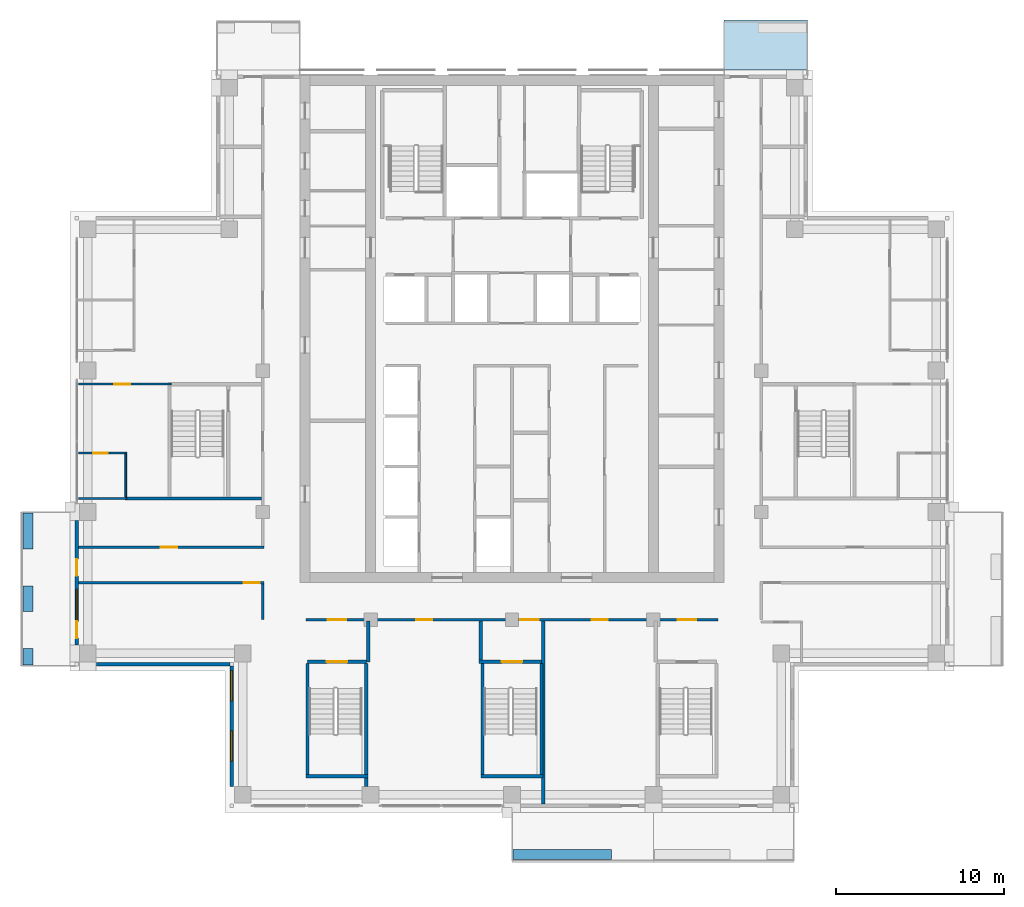
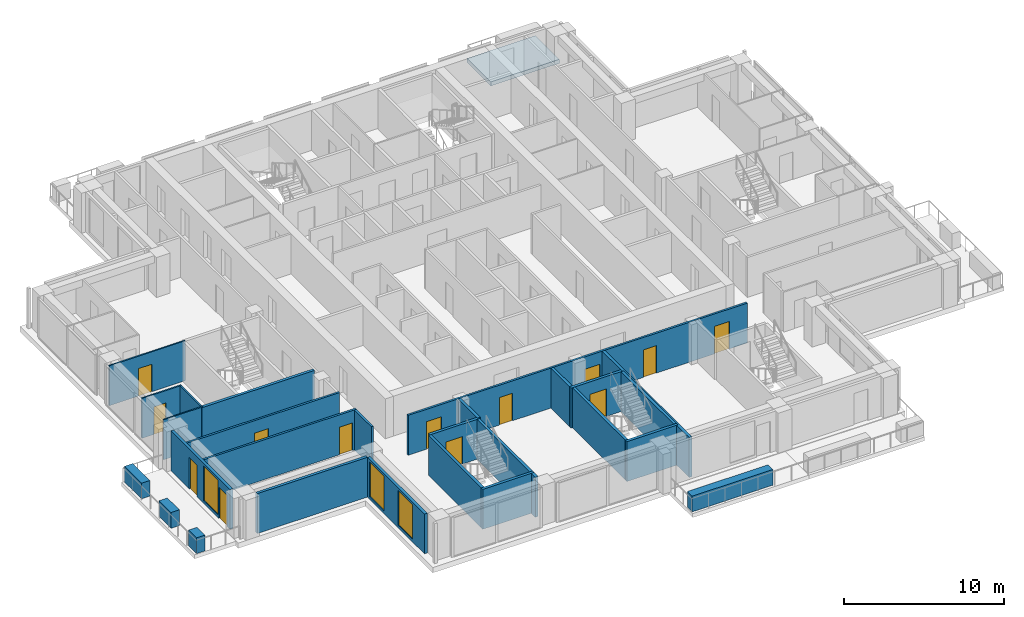
# One storey, part 8 of 17: 27 walls, 13 doors, 3 windows, 1 slab, 16 openings.
"""IFC4 building model written with IfcOpenShell, lengths in metres."""

from ifc_helpers import new_model, si_unit, direction, frame, frame_2d, origin, place, context, subcontext, project, spatial, polyline, rectangle, outline, extrude, material, layer, layer_set, type_object, element, fill, save


model = new_model("IFC4")

# Units and contexts
model_context = context("Model", 3, precision=1e-05, world=origin(), true_north=direction((0.0, 1.0)))
body_context = subcontext(model_context, "Body", "Model", "MODEL_VIEW")
ifc_project = project(units=[si_unit("LENGTHUNIT", "METRE"), si_unit("AREAUNIT", "SQUARE_METRE"), si_unit("VOLUMEUNIT", "CUBIC_METRE"), si_unit("PLANEANGLEUNIT", "RADIAN"), si_unit("MASSUNIT", "GRAM", prefix="KILO")], contexts=[model_context])

# Site, building, storey
site_placement = place(None, origin())
site = spatial("IfcSite", under=ifc_project, at=site_placement, CompositionType="ELEMENT")
building_placement = place(site_placement, origin())
building = spatial("IfcBuilding", under=site, at=building_placement, Name="Vermilion Ogive Tower", CompositionType="ELEMENT")
storey_placement = place(building_placement, frame((0.0, 0.0, 189.35009765625)))
storey = spatial("IfcBuildingStorey", under=building, at=storey_placement, Name="L49", CompositionType="ELEMENT", Elevation=189.35009765625)

# Slab
ifc_material_1 = material(Name="Concrete B40", Category="concrete")
ifc_layer_1 = layer(ifc_material_1, 0.300048828125)
ifc_layer_set_1 = layer_set([ifc_layer_1], Name="Balcony slab")
slab_type = type_object("IfcSlabType", Name="Balcony slab", PredefinedType="FLOOR", material=ifc_layer_set_1)
slab_placement = place(storey_placement, frame((0.0, 0.0, -0.340087890625)))
element("IfcSlab", 1, at=slab_placement, inside=storey, type_object=slab_type, Name="Balcony slab N101", PredefinedType="FLOOR", context=body_context, shape_type="SweptSolid", body=[
    extrude(outline(polyline([(17.550048828125, 25.030029296875), (12.60009765625, 25.030029296875), (12.60009765625, 22.050048828125), (17.550048828125, 22.050048828125), (17.550048828125, 25.030029296875)])), origin(), (0.0, 0.0, 1.0), 0.300048828125),
])

# Wall
ifc_material_2 = material(Name="Gypsum board partition on steel studs", Category="steel")
ifc_layer_2 = layer(ifc_material_2, 0.10009765625)
ifc_layer_set_2 = layer_set([ifc_layer_2], Name="Partition 100 bath")
wall_type_1 = type_object("IfcWallType", Name="Partition 100 bath", PredefinedType="PARTITIONING", material=ifc_layer_set_2)
wall_1_placement = place(storey_placement, frame((-25.75, -3.39990234375, 0.0), z_axis=(0.0, 0.0, 1.0), x_axis=(1.0, 0.0, 0.0)))
element("IfcWall", 2, at=wall_1_placement, inside=storey, type_object=wall_type_1, Name="L49-W-W011", PredefinedType="PARTITIONING", context=body_context, shape_type="SweptSolid", body=[
    extrude(rectangle(XDim=2.85009765625, YDim=0.10009765625, at=frame_2d((1.425048828125, 0.0))), origin(), (0.0, 0.0, 1.0), 3.0498046875),
])

# Wall, opening, door
wall_2_placement = place(storey_placement, frame((-25.75, -0.699951171875, 0.0), z_axis=(0.0, 0.0, 1.0), x_axis=(1.0, 0.0, 0.0)))
wall_2 = element("IfcWall", 3, at=wall_2_placement, inside=storey, type_object=wall_type_1, Name="L49-W-W015", PredefinedType="PARTITIONING", context=body_context, shape_type="SweptSolid", body=[
    extrude(rectangle(XDim=2.85009765625, YDim=0.10009765625, at=frame_2d((1.425048828125, 0.0))), origin(), (0.0, 0.0, 1.0), 3.0498046875),
])
opening_1_placement = place(wall_2_placement, frame((0.875, 0.0, 0.0)))
opening_1 = element("IfcOpeningElement", 4, at=opening_1_placement, cuts=wall_2, Name="Opening D4G2006", PredefinedType="OPENING", context=body_context, shape_type="SweptSolid", body=[
    extrude(rectangle(XDim=0.85009765625, YDim=2.10009765625, at=frame_2d((0.425048828125, 1.050048828125))), frame((0.0, 0.06005859375, 0.0), z_axis=(0.0, -1.0, 0.0), x_axis=(1.0, 0.0, 0.0)), (0.0, 0.0, 1.0), 0.1201171875),
])
ifc_material_3 = material(Name="Timber door leaf", Category="wood")
door_type_1 = type_object("IfcDoorType", Name="Bath door 850 x 2100 FD30", OperationType="SINGLE_SWING_LEFT", PredefinedType="DOOR", material=ifc_material_3)
door_1_placement = place(opening_1_placement, origin())
door_1 = element("IfcDoor", 5, at=door_1_placement, inside=storey, type_object=door_type_1, Name="L49-D-D006", OperationType="SINGLE_SWING_RIGHT", OverallHeight=2.10009765625, OverallWidth=0.85009765625, PredefinedType="DOOR", context=body_context, shape_type="SweptSolid", body=[
    extrude(rectangle(XDim=0.85009765625, YDim=2.10009765625, at=frame_2d((0.425048828125, 1.050048828125))), frame((0.0, 0.02490234375, 0.0), z_axis=(0.0, -1.0, 0.0), x_axis=(1.0, 0.0, 0.0)), (0.0, 0.0, 1.0), 0.050048828125),
])
fill(opening_1, door_1)

# Wall
wall_3_placement = place(storey_placement, frame((-22.949951171875, -3.300048828125, 0.0), z_axis=(0.0, 0.0, 1.0), x_axis=(0.0, 1.0, 0.0)))
element("IfcWall", 6, at=wall_3_placement, inside=storey, type_object=wall_type_1, Name="L49-W-W029", PredefinedType="PARTITIONING", context=body_context, shape_type="SweptSolid", body=[
    extrude(rectangle(XDim=2.550048828125, YDim=0.10009765625, at=frame_2d((1.27490234375, 0.0))), origin(), (0.0, 0.0, 1.0), 3.0498046875),
])

# Wall, opening, door
ifc_material_4 = material(Name="Gypsum board partition on steel studs", Category="steel")
ifc_layer_3 = layer(ifc_material_4, 0.10009765625)
ifc_layer_set_3 = layer_set([ifc_layer_3], Name="Partition 100 inner")
wall_type_2 = type_object("IfcWallType", Name="Partition 100 inner", PredefinedType="PARTITIONING", material=ifc_layer_set_3)
wall_4_placement = place(storey_placement, frame((-25.75, 3.39990234375, 0.0), z_axis=(0.0, 0.0, 1.0), x_axis=(1.0, 0.0, 0.0)))
wall_4 = element("IfcWall", 7, at=wall_4_placement, inside=storey, type_object=wall_type_2, Name="L49-W-W017", PredefinedType="PARTITIONING", context=body_context, shape_type="SweptSolid", body=[
    extrude(rectangle(XDim=5.5, YDim=0.10009765625, at=frame_2d((2.75, 0.0))), origin(), (0.0, 0.0, 1.0), 3.0498046875),
])
opening_2_placement = place(wall_4_placement, frame((2.125, 0.0, 0.0)))
opening_2 = element("IfcOpeningElement", 8, at=opening_2_placement, cuts=wall_4, Name="Opening D4G2005", PredefinedType="OPENING", context=body_context, shape_type="SweptSolid", body=[
    extrude(rectangle(XDim=0.949951171875, YDim=2.10009765625, at=frame_2d((0.47509765625, 1.050048828125))), frame((0.0, 0.06005859375, 0.0), z_axis=(0.0, -1.0, 0.0), x_axis=(1.0, 0.0, 0.0)), (0.0, 0.0, 1.0), 0.1201171875),
])
ifc_material_5 = material(Name="Timber door leaf", Category="wood")
door_type_2 = type_object("IfcDoorType", Name="Inner door 950 x 2100 FD30", OperationType="SINGLE_SWING_LEFT", PredefinedType="DOOR", material=ifc_material_5)
door_2_placement = place(opening_2_placement, origin())
door_2 = element("IfcDoor", 9, at=door_2_placement, inside=storey, type_object=door_type_2, Name="L49-D-D005", OperationType="SINGLE_SWING_LEFT", OverallHeight=2.10009765625, OverallWidth=0.949951171875, PredefinedType="DOOR", context=body_context, shape_type="SweptSolid", body=[
    extrude(rectangle(XDim=0.949951171875, YDim=2.10009765625, at=frame_2d((0.47509765625, 1.050048828125))), frame((0.0, 0.02490234375, 0.0), z_axis=(0.0, -1.0, 0.0), x_axis=(1.0, 0.0, 0.0)), (0.0, 0.0, 1.0), 0.050048828125),
])
fill(opening_2, door_2)

# Wall, openings, doors
ifc_material_6 = material(Name="Gypsum board partition on steel studs", Category="steel")
ifc_layer_4 = layer(ifc_material_6, 0.14990234375)
ifc_layer_set_4 = layer_set([ifc_layer_4], Name="Partition 150 corridor")
wall_type_3 = type_object("IfcWallType", Name="Partition 150 corridor", PredefinedType="PARTITIONING", material=ifc_layer_set_4)
wall_5_placement = place(storey_placement, frame((-12.25, -10.60009765625, 0.0), z_axis=(0.0, 0.0, 1.0), x_axis=(1.0, 0.0, 0.0)))
wall_5 = element("IfcWall", 10, at=wall_5_placement, inside=storey, type_object=wall_type_3, Name="L49-W-W006", PredefinedType="PARTITIONING", context=body_context, shape_type="SweptSolid", body=[
    extrude(rectangle(XDim=24.5, YDim=0.14990234375, at=frame_2d((12.25, 0.0))), origin(), (0.0, 0.0, 1.0), 3.0498046875),
])
opening_3_placement = place(wall_5_placement, frame((6.574951171875, 0.0, 0.0)))
opening_3 = element("IfcOpeningElement", 11, at=opening_3_placement, cuts=wall_5, Name="Opening D4G2009", PredefinedType="OPENING", context=body_context, shape_type="SweptSolid", body=[
    extrude(rectangle(XDim=0.949951171875, YDim=2.10009765625, at=frame_2d((0.47509765625, 1.050048828125))), frame((0.0, 0.0849609375, 0.0), z_axis=(0.0, -1.0, 0.0), x_axis=(1.0, 0.0, 0.0)), (0.0, 0.0, 1.0), 0.169921875),
])
opening_4_placement = place(wall_5_placement, frame((16.97509765625, 0.0, 0.0)))
opening_4 = element("IfcOpeningElement", 12, at=opening_4_placement, cuts=wall_5, Name="Opening D4G2010", PredefinedType="OPENING", context=body_context, shape_type="SweptSolid", body=[
    extrude(rectangle(XDim=0.949951171875, YDim=2.10009765625, at=frame_2d((0.47509765625, 1.050048828125))), frame((0.0, 0.0849609375, 0.0), z_axis=(0.0, -1.0, 0.0), x_axis=(1.0, 0.0, 0.0)), (0.0, 0.0, 1.0), 0.169921875),
])
opening_5_placement = place(wall_5_placement, frame((1.300048828125, 0.0, 0.0)))
opening_5 = element("IfcOpeningElement", 13, at=opening_5_placement, cuts=wall_5, Name="Opening D4G2020", PredefinedType="OPENING", context=body_context, shape_type="SweptSolid", body=[
    extrude(rectangle(XDim=1.10009765625, YDim=2.10009765625, at=frame_2d((0.550048828125, 1.050048828125))), frame((0.0, 0.0849609375, 0.0), z_axis=(0.0, -1.0, 0.0), x_axis=(1.0, 0.0, 0.0)), (0.0, 0.0, 1.0), 0.169921875),
])
opening_6_placement = place(wall_5_placement, frame((12.75, 0.0, 0.0)))
opening_6 = element("IfcOpeningElement", 14, at=opening_6_placement, cuts=wall_5, Name="Opening D4G2022", PredefinedType="OPENING", context=body_context, shape_type="SweptSolid", body=[
    extrude(rectangle(XDim=1.10009765625, YDim=2.10009765625, at=frame_2d((0.550048828125, 1.050048828125))), frame((0.0, 0.0849609375, 0.0), z_axis=(0.0, -1.0, 0.0), x_axis=(1.0, 0.0, 0.0)), (0.0, 0.0, 1.0), 0.169921875),
])
opening_7_placement = place(wall_5_placement, frame((22.10009765625, 0.0, 0.0)))
opening_7 = element("IfcOpeningElement", 15, at=opening_7_placement, cuts=wall_5, Name="Opening D4G2024", PredefinedType="OPENING", context=body_context, shape_type="SweptSolid", body=[
    extrude(rectangle(XDim=1.10009765625, YDim=2.10009765625, at=frame_2d((0.550048828125, 1.050048828125))), frame((0.0, 0.0849609375, 0.0), z_axis=(0.0, -1.0, 0.0), x_axis=(1.0, 0.0, 0.0)), (0.0, 0.0, 1.0), 0.169921875),
])
ifc_material_7 = material(Name="Timber door leaf", Category="wood")
door_type_3 = type_object("IfcDoorType", Name="Stair door 1100 x 2100 FD60S", OperationType="SINGLE_SWING_LEFT", PredefinedType="DOOR", material=ifc_material_7)
door_3_placement = place(opening_5_placement, origin())
door_3 = element("IfcDoor", 16, at=door_3_placement, inside=storey, type_object=door_type_3, Name="L49-D-D020", OperationType="SINGLE_SWING_RIGHT", OverallHeight=2.10009765625, OverallWidth=1.10009765625, PredefinedType="DOOR", context=body_context, shape_type="SweptSolid", body=[
    extrude(rectangle(XDim=1.10009765625, YDim=2.10009765625, at=frame_2d((0.550048828125, 1.050048828125))), frame((0.0, 0.02490234375, 0.0), z_axis=(0.0, -1.0, 0.0), x_axis=(1.0, 0.0, 0.0)), (0.0, 0.0, 1.0), 0.050048828125),
])
fill(opening_5, door_3)
door_4_placement = place(opening_6_placement, origin())
door_4 = element("IfcDoor", 17, at=door_4_placement, inside=storey, type_object=door_type_3, Name="L49-D-D022", OperationType="SINGLE_SWING_LEFT", OverallHeight=2.10009765625, OverallWidth=1.10009765625, PredefinedType="DOOR", context=body_context, shape_type="SweptSolid", body=[
    extrude(rectangle(XDim=1.10009765625, YDim=2.10009765625, at=frame_2d((0.550048828125, 1.050048828125))), frame((0.0, 0.02490234375, 0.0), z_axis=(0.0, -1.0, 0.0), x_axis=(1.0, 0.0, 0.0)), (0.0, 0.0, 1.0), 0.050048828125),
])
fill(opening_6, door_4)
door_5_placement = place(opening_7_placement, origin())
door_5 = element("IfcDoor", 18, at=door_5_placement, inside=storey, type_object=door_type_3, Name="L49-D-D024", OperationType="SINGLE_SWING_LEFT", OverallHeight=2.10009765625, OverallWidth=1.10009765625, PredefinedType="DOOR", context=body_context, shape_type="SweptSolid", body=[
    extrude(rectangle(XDim=1.10009765625, YDim=2.10009765625, at=frame_2d((0.550048828125, 1.050048828125))), frame((0.0, 0.02490234375, 0.0), z_axis=(0.0, -1.0, 0.0), x_axis=(1.0, 0.0, 0.0)), (0.0, 0.0, 1.0), 0.050048828125),
])
fill(opening_7, door_5)
ifc_material_8 = material(Name="Timber door leaf", Category="wood")
door_type_4 = type_object("IfcDoorType", Name="Unit door 950 x 2100 FD30S", OperationType="SINGLE_SWING_LEFT", PredefinedType="DOOR", material=ifc_material_8)
door_6_placement = place(opening_3_placement, origin())
door_6 = element("IfcDoor", 19, at=door_6_placement, inside=storey, type_object=door_type_4, Name="L49-D-D009", OperationType="SINGLE_SWING_RIGHT", OverallHeight=2.10009765625, OverallWidth=0.949951171875, PredefinedType="DOOR", context=body_context, shape_type="SweptSolid", body=[
    extrude(rectangle(XDim=0.949951171875, YDim=2.10009765625, at=frame_2d((0.47509765625, 1.050048828125))), frame((0.0, 0.02490234375, 0.0), z_axis=(0.0, -1.0, 0.0), x_axis=(1.0, 0.0, 0.0)), (0.0, 0.0, 1.0), 0.050048828125),
])
fill(opening_3, door_6)
door_7_placement = place(opening_4_placement, origin())
door_7 = element("IfcDoor", 20, at=door_7_placement, inside=storey, type_object=door_type_4, Name="L49-D-D010", OperationType="SINGLE_SWING_RIGHT", OverallHeight=2.10009765625, OverallWidth=0.949951171875, PredefinedType="DOOR", context=body_context, shape_type="SweptSolid", body=[
    extrude(rectangle(XDim=0.949951171875, YDim=2.10009765625, at=frame_2d((0.47509765625, 1.050048828125))), frame((0.0, 0.02490234375, 0.0), z_axis=(0.0, -1.0, 0.0), x_axis=(1.0, 0.0, 0.0)), (0.0, 0.0, 1.0), 0.050048828125),
])
fill(opening_4, door_7)

# Wall, opening, door
wall_6_placement = place(storey_placement, frame((-25.75, -8.39990234375, 0.0), z_axis=(0.0, 0.0, 1.0), x_axis=(1.0, 0.0, 0.0)))
wall_6 = element("IfcWall", 21, at=wall_6_placement, inside=storey, type_object=wall_type_3, Name="L49-W-W007", PredefinedType="PARTITIONING", context=body_context, shape_type="SweptSolid", body=[
    extrude(rectangle(XDim=11.02490234375, YDim=0.14990234375, at=frame_2d((5.512451171875, 0.0))), origin(), (0.0, 0.0, 1.0), 3.0498046875),
])
opening_8_placement = place(wall_6_placement, frame((9.800048828125, 0.0, 0.0)))
opening_8 = element("IfcOpeningElement", 22, at=opening_8_placement, cuts=wall_6, Name="Opening D4G2001", PredefinedType="OPENING", context=body_context, shape_type="SweptSolid", body=[
    extrude(rectangle(XDim=0.949951171875, YDim=2.10009765625, at=frame_2d((0.47509765625, 1.050048828125))), frame((0.0, 0.0849609375, 0.0), z_axis=(0.0, -1.0, 0.0), x_axis=(1.0, 0.0, 0.0)), (0.0, 0.0, 1.0), 0.169921875),
])
door_8_placement = place(opening_8_placement, origin())
door_8 = element("IfcDoor", 23, at=door_8_placement, inside=storey, type_object=door_type_4, Name="L49-D-D001", OperationType="SINGLE_SWING_RIGHT", OverallHeight=2.10009765625, OverallWidth=0.949951171875, PredefinedType="DOOR", context=body_context, shape_type="SweptSolid", body=[
    extrude(rectangle(XDim=0.949951171875, YDim=2.10009765625, at=frame_2d((0.47509765625, 1.050048828125))), frame((0.0, 0.02490234375, 0.0), z_axis=(0.0, -1.0, 0.0), x_axis=(1.0, 0.0, 0.0)), (0.0, 0.0, 1.0), 0.050048828125),
])
fill(opening_8, door_8)

wall_7_placement = place(storey_placement, frame((-25.75, -6.300048828125, 0.0), z_axis=(0.0, 0.0, 1.0), x_axis=(1.0, 0.0, 0.0)))
wall_7 = element("IfcWall", 24, at=wall_7_placement, inside=storey, type_object=wall_type_3, Name="L49-W-W009", PredefinedType="PARTITIONING", context=body_context, shape_type="SweptSolid", body=[
    extrude(rectangle(XDim=11.02490234375, YDim=0.14990234375, at=frame_2d((5.512451171875, 0.0))), origin(), (0.0, 0.0, 1.0), 3.0498046875),
])
opening_9_placement = place(wall_7_placement, frame((4.875, 0.0, 0.0)))
opening_9 = element("IfcOpeningElement", 25, at=opening_9_placement, cuts=wall_7, Name="Opening D4G2030", PredefinedType="OPENING", context=body_context, shape_type="SweptSolid", body=[
    extrude(rectangle(XDim=1.0, YDim=2.10009765625, at=frame_2d((0.5, 1.050048828125))), frame((0.0, 0.0849609375, 0.0), z_axis=(0.0, -1.0, 0.0), x_axis=(1.0, 0.0, 0.0)), (0.0, 0.0, 1.0), 0.169921875),
])
ifc_material_9 = material(Name="Timber door leaf", Category="wood")
door_type_5 = type_object("IfcDoorType", Name="Unit door 1000 x 2100 FD30S", OperationType="SINGLE_SWING_LEFT", PredefinedType="DOOR", material=ifc_material_9)
door_9_placement = place(opening_9_placement, origin())
door_9 = element("IfcDoor", 26, at=door_9_placement, inside=storey, type_object=door_type_5, Name="L49-D-D030", OperationType="SINGLE_SWING_RIGHT", OverallHeight=2.10009765625, OverallWidth=1.0, PredefinedType="DOOR", context=body_context, shape_type="SweptSolid", body=[
    extrude(rectangle(XDim=1.0, YDim=2.10009765625, at=frame_2d((0.5, 1.050048828125))), frame((0.0, 0.02490234375, 0.0), z_axis=(0.0, -1.0, 0.0), x_axis=(1.0, 0.0, 0.0)), (0.0, 0.0, 1.0), 0.050048828125),
])
fill(opening_9, door_9)

# Walls
wall_8_placement = place(storey_placement, frame((-14.800048828125, -10.60009765625, 0.0), z_axis=(0.0, 0.0, 1.0), x_axis=(0.0, 1.0, 0.0)))
element("IfcWall", 27, at=wall_8_placement, inside=storey, type_object=wall_type_3, Name="L49-W-W033", PredefinedType="PARTITIONING", context=body_context, shape_type="SweptSolid", body=[
    extrude(rectangle(XDim=2.125, YDim=0.14990234375, at=frame_2d((1.0625, 0.0))), origin(), (0.0, 0.0, 1.0), 3.0498046875),
])
ifc_material_10 = material(Name="Gypsum board partition on steel studs", Category="steel")
ifc_layer_5 = layer(ifc_material_10, 0.199951171875)
ifc_layer_set_5 = layer_set([ifc_layer_5], Name="Partition 200 party")
wall_type_4 = type_object("IfcWallType", Name="Partition 200 party", PredefinedType="PARTITIONING", material=ifc_layer_set_5)
wall_9_placement = place(storey_placement, frame((-8.550048828125, -13.10009765625, 0.0), z_axis=(0.0, 0.0, 1.0), x_axis=(0.0, 1.0, 0.0)))
element("IfcWall", 28, at=wall_9_placement, inside=storey, type_object=wall_type_4, Name="L49-W-W035", PredefinedType="PARTITIONING", context=body_context, shape_type="SweptSolid", body=[
    extrude(rectangle(XDim=2.425048828125, YDim=0.199951171875, at=frame_2d((1.21240234375, 0.0))), origin(), (0.0, 0.0, 1.0), 3.0498046875),
])
wall_10_placement = place(storey_placement, frame((-1.85009765625, -12.998046875, 0.0), z_axis=(0.0, 0.0, 1.0), x_axis=(0.0, 1.0, 0.0)))
element("IfcWall", 29, at=wall_10_placement, inside=storey, type_object=wall_type_4, Name="L49-W-W036", PredefinedType="PARTITIONING", context=body_context, shape_type="SweptSolid", body=[
    extrude(rectangle(XDim=2.322998046875, YDim=0.199951171875, at=frame_2d((1.16162109375, 0.0))), origin(), (0.0, 0.0, 1.0), 3.0498046875),
])
ifc_material_11 = material(Name="Concrete B60", Category="concrete")
ifc_layer_6 = layer(ifc_material_11, 0.199951171875)
ifc_layer_set_6 = layer_set([ifc_layer_6], Name="Stair shaft wall 200 Concrete B60")
wall_type_5 = type_object("IfcWallType", Name="Stair shaft wall 200 Concrete B60", PredefinedType="SOLIDWALL", material=ifc_layer_set_6)
wall_11_placement = place(storey_placement, frame((-1.847900390625, -19.89990234375, 0.0), z_axis=(0.0, 0.0, 1.0), x_axis=(1.0, 0.0, 0.0)))
element("IfcWall", 30, at=wall_11_placement, inside=storey, type_object=wall_type_5, Name="L49-W-W001", PredefinedType="SOLIDWALL", context=body_context, shape_type="SweptSolid", body=[
    extrude(rectangle(XDim=3.69580078125, YDim=0.199951171875, at=frame_2d((1.847900390625, 0.0))), origin(), (0.0, 0.0, 1.0), 3.0498046875),
])

# Wall, opening, door
wall_12_placement = place(storey_placement, frame((-12.14990234375, -13.10009765625, 0.0), z_axis=(0.0, 0.0, 1.0), x_axis=(1.0, 0.0, 0.0)))
wall_12 = element("IfcWall", 31, at=wall_12_placement, inside=storey, type_object=wall_type_5, Name="L49-W-W002", PredefinedType="SOLIDWALL", context=body_context, shape_type="SweptSolid", body=[
    extrude(rectangle(XDim=3.5, YDim=0.199951171875, at=frame_2d((1.75, 0.0))), origin(), (0.0, 0.0, 1.0), 3.0498046875),
])
opening_10_placement = place(wall_12_placement, frame((1.14990234375, 0.0, 0.0)))
opening_10 = element("IfcOpeningElement", 32, at=opening_10_placement, cuts=wall_12, Name="Opening D4G2021", PredefinedType="OPENING", context=body_context, shape_type="SweptSolid", body=[
    extrude(rectangle(XDim=1.199951171875, YDim=2.10009765625, at=frame_2d((0.60009765625, 1.050048828125))), frame((0.0, 0.10986328125, 0.0), z_axis=(0.0, -1.0, 0.0), x_axis=(1.0, 0.0, 0.0)), (0.0, 0.0, 1.0), 0.219970703125),
])
ifc_material_12 = material(Name="Timber door leaf", Category="wood")
door_type_6 = type_object("IfcDoorType", Name="Stair door 1200 x 2100 FD60S", OperationType="SINGLE_SWING_LEFT", PredefinedType="DOOR", material=ifc_material_12)
door_10_placement = place(opening_10_placement, origin())
door_10 = element("IfcDoor", 33, at=door_10_placement, inside=storey, type_object=door_type_6, Name="L49-D-D021", OperationType="SINGLE_SWING_RIGHT", OverallHeight=2.10009765625, OverallWidth=1.199951171875, PredefinedType="DOOR", context=body_context, shape_type="SweptSolid", body=[
    extrude(rectangle(XDim=1.199951171875, YDim=2.10009765625, at=frame_2d((0.60009765625, 1.050048828125))), frame((0.0, 0.02490234375, 0.0), z_axis=(0.0, -1.0, 0.0), x_axis=(1.0, 0.0, 0.0)), (0.0, 0.0, 1.0), 0.050048828125),
])
fill(opening_10, door_10)

wall_13_placement = place(storey_placement, frame((-1.947998046875, -13.10009765625, 0.0), z_axis=(0.0, 0.0, 1.0), x_axis=(1.0, 0.0, 0.0)))
wall_13 = element("IfcWall", 34, at=wall_13_placement, inside=storey, type_object=wall_type_5, Name="L49-W-W003", PredefinedType="SOLIDWALL", context=body_context, shape_type="SweptSolid", body=[
    extrude(rectangle(XDim=3.696044921875, YDim=0.199951171875, at=frame_2d((1.84814453125, 0.0))), origin(), (0.0, 0.0, 1.0), 3.0498046875),
])
opening_11_placement = place(wall_13_placement, frame((1.347900390625, 0.0, 0.0)))
opening_11 = element("IfcOpeningElement", 35, at=opening_11_placement, cuts=wall_13, Name="Opening D4G2023", PredefinedType="OPENING", context=body_context, shape_type="SweptSolid", body=[
    extrude(rectangle(XDim=1.199951171875, YDim=2.10009765625, at=frame_2d((0.60009765625, 1.050048828125))), frame((0.0, 0.10986328125, 0.0), z_axis=(0.0, -1.0, 0.0), x_axis=(1.0, 0.0, 0.0)), (0.0, 0.0, 1.0), 0.219970703125),
])
door_11_placement = place(opening_11_placement, origin())
door_11 = element("IfcDoor", 36, at=door_11_placement, inside=storey, type_object=door_type_6, Name="L49-D-D023", OperationType="SINGLE_SWING_RIGHT", OverallHeight=2.10009765625, OverallWidth=1.199951171875, PredefinedType="DOOR", context=body_context, shape_type="SweptSolid", body=[
    extrude(rectangle(XDim=1.199951171875, YDim=2.10009765625, at=frame_2d((0.60009765625, 1.050048828125))), frame((0.0, 0.02490234375, 0.0), z_axis=(0.0, -1.0, 0.0), x_axis=(1.0, 0.0, 0.0)), (0.0, 0.0, 1.0), 0.050048828125),
])
fill(opening_11, door_11)

# Walls
for number, where, z_axis, x_axis, name in (
    (37, (-1.75, -19.798095703125, 0.0), (0.0, 0.0, 1.0), (0.0, 1.0, 0.0), "L49-W-W037"),
    (38, (1.75, -19.798095703125, 0.0), (0.0, 0.0, 1.0), (0.0, 1.0, 0.0), "L49-W-W038"),
):
    element("IfcWall", number, at=place(storey_placement, frame(where, z_axis=z_axis, x_axis=x_axis)), inside=storey, type_object=wall_type_5, Name=name, PredefinedType="SOLIDWALL", context=body_context, shape_type="SweptSolid", body=[
        extrude(rectangle(XDim=6.59619140625, YDim=0.199951171875, at=frame_2d((3.298095703125, 0.0))), origin(), (0.0, 0.0, 1.0), 3.0498046875),
    ])
wall_14_placement = place(storey_placement, frame((-12.25, -19.89990234375, 0.0), z_axis=(0.0, 0.0, 1.0), x_axis=(1.0, 0.0, 0.0)))
element("IfcWall", 39, at=wall_14_placement, inside=storey, type_object=wall_type_5, Name="L49-SW-ST3-S1", PredefinedType="SOLIDWALL", context=body_context, shape_type="SweptSolid", body=[
    extrude(rectangle(XDim=3.699951171875, YDim=0.199951171875, at=frame_2d((1.85009765625, 0.0))), origin(), (0.0, 0.0, 1.0), 3.0498046875),
])
wall_15_placement = place(storey_placement, frame((-12.14990234375, -19.800048828125, 0.0), z_axis=(0.0, 0.0, 1.0), x_axis=(0.0, 1.0, 0.0)))
element("IfcWall", 40, at=wall_15_placement, inside=storey, type_object=wall_type_5, Name="L49-SW-ST3-W1", PredefinedType="SOLIDWALL", context=body_context, shape_type="SweptSolid", body=[
    extrude(rectangle(XDim=6.60009765625, YDim=0.199951171875, at=frame_2d((3.300048828125, 0.0))), origin(), (0.0, 0.0, 1.0), 3.0498046875),
])
wall_16_placement = place(storey_placement, frame((-23.0, -3.39990234375, 0.0), z_axis=(0.0, 0.0, 1.0), x_axis=(1.0, 0.0, 0.0)))
element("IfcWall", 41, at=wall_16_placement, inside=storey, type_object=wall_type_5, Name="L49-W-W012-A", PredefinedType="SOLIDWALL", context=body_context, shape_type="SweptSolid", body=[
    extrude(rectangle(XDim=8.125, YDim=0.199951171875, at=frame_2d((4.0625, 0.0))), origin(), (0.0, 0.0, 1.0), 3.0498046875),
])
wall_17_placement = place(storey_placement, frame((1.85009765625, -21.550048828125, 0.0), z_axis=(0.0, 0.0, 1.0), x_axis=(0.0, 1.0, 0.0)))
element("IfcWall", 42, at=wall_17_placement, inside=storey, type_object=wall_type_5, Name="L49-W-W039-A", PredefinedType="SOLIDWALL", context=body_context, shape_type="SweptSolid", body=[
    extrude(rectangle(XDim=10.875, YDim=0.199951171875, at=frame_2d((5.4375, 0.0))), origin(), (0.0, 0.0, 1.0), 3.0498046875),
])
wall_18_placement = place(storey_placement, frame((-8.64990234375, -20.5, 0.0), z_axis=(0.0, 0.0, 1.0), x_axis=(0.0, 1.0, 0.0)))
element("IfcWall", 43, at=wall_18_placement, inside=storey, type_object=wall_type_5, Name="L49-SW-ST3-E1-A", PredefinedType="SOLIDWALL", context=body_context, shape_type="SweptSolid", body=[
    extrude(rectangle(XDim=7.298095703125, YDim=0.199951171875, at=frame_2d((3.64892578125, 0.0))), origin(), (0.0, 0.0, 1.0), 3.0498046875),
])
ifc_material_13 = material(Name="Concrete B40", Category="concrete")
ifc_layer_7 = layer(ifc_material_13, 0.60009765625)
ifc_layer_set_7 = layer_set([ifc_layer_7], Name="Structural planter")
wall_type_6 = type_object("IfcWallType", Name="Structural planter", PredefinedType="USERDEFINED", material=ifc_layer_set_7)
wall_19_placement = place(storey_placement, frame((0.06005859375, -24.550048828125, -0.0400390625), z_axis=(0.0, 0.0, 1.0), x_axis=(1.0, 0.0, 0.0)))
element("IfcWall", 44, at=wall_19_placement, inside=storey, type_object=wall_type_6, Name="Planter S03A1", ObjectType="PLANTER", PredefinedType="USERDEFINED", context=body_context, shape_type="SweptSolid", body=[
    extrude(rectangle(XDim=5.83984375, YDim=0.60009765625, at=frame_2d((2.919921875, 0.0))), origin(), (0.0, 0.0, 1.0), 1.199951171875),
])
wall_20_placement = place(storey_placement, frame((-28.75, -4.260009765625, -0.0400390625), z_axis=(0.0, 0.0, 1.0), x_axis=(0.0, -1.0, 0.0)))
element("IfcWall", 45, at=wall_20_placement, inside=storey, type_object=wall_type_6, Name="Planter W03A1", ObjectType="PLANTER", PredefinedType="USERDEFINED", context=body_context, shape_type="SweptSolid", body=[
    extrude(rectangle(XDim=2.139892578125, YDim=0.60009765625, at=frame_2d((1.06982421875, 0.0))), origin(), (0.0, 0.0, 1.0), 1.199951171875),
])
wall_21_placement = place(storey_placement, frame((-28.75, -8.60009765625, -0.0400390625), z_axis=(0.0, 0.0, 1.0), x_axis=(0.0, -1.0, 0.0)))
element("IfcWall", 46, at=wall_21_placement, inside=storey, type_object=wall_type_6, Name="Planter W03A2", ObjectType="PLANTER", PredefinedType="USERDEFINED", context=body_context, shape_type="SweptSolid", body=[
    extrude(rectangle(XDim=1.5, YDim=0.60009765625, at=frame_2d((0.75, 0.0))), origin(), (0.0, 0.0, 1.0), 1.199951171875),
])
wall_22_placement = place(storey_placement, frame((-28.75, -12.300048828125, -0.0400390625), z_axis=(0.0, 0.0, 1.0), x_axis=(0.0, -1.0, 0.0)))
element("IfcWall", 47, at=wall_22_placement, inside=storey, type_object=wall_type_6, Name="Planter W03A3", ObjectType="PLANTER", PredefinedType="USERDEFINED", context=body_context, shape_type="SweptSolid", body=[
    extrude(rectangle(XDim=0.989990234375, YDim=0.60009765625, at=frame_2d((0.4951171875, 0.0))), origin(), (0.0, 0.0, 1.0), 1.199951171875),
])

# Wall, openings, doors, window
ifc_material_14 = material(Name="Aluminium window wall framing", Category="aluminium")
ifc_layer_8 = layer(ifc_material_14, 0.199951171875)
ifc_layer_set_8 = layer_set([ifc_layer_8], Name="Window wall")
wall_type_7 = type_object("IfcWallType", Name="Window wall", PredefinedType="STANDARD", material=ifc_layer_set_8)
wall_23_placement = place(storey_placement, frame((-25.85009765625, -4.699951171875, 0.0), z_axis=(0.0, 0.0, 1.0), x_axis=(0.0, -1.0, 0.0)))
wall_23 = element("IfcWall", 48, at=wall_23_placement, inside=storey, type_object=wall_type_7, Name="Window wall W3", PredefinedType="STANDARD", context=body_context, shape_type="SweptSolid", body=[
    extrude(rectangle(XDim=7.400146484375, YDim=0.199951171875, at=frame_2d((3.7001953125, 0.0))), origin(), (0.0, 0.0, 1.0), 3.0498046875),
])
opening_12_placement = place(wall_23_placement, frame((4.10009765625, 0.0, 0.199951171875)))
opening_12 = element("IfcOpeningElement", 49, at=opening_12_placement, cuts=wall_23, Name="Opening W1-W97", PredefinedType="OPENING", context=body_context, shape_type="SweptSolid", body=[
    extrude(rectangle(XDim=1.800048828125, YDim=2.64990234375, at=frame_2d((0.89990234375, 1.324951171875))), frame((0.0, 0.10986328125, 0.0), z_axis=(0.0, -1.0, 0.0), x_axis=(1.0, 0.0, 0.0)), (0.0, 0.0, 1.0), 0.219970703125),
])
opening_13_placement = place(wall_23_placement, frame((6.0, 0.0, 0.0)))
opening_13 = element("IfcOpeningElement", 50, at=opening_13_placement, cuts=wall_23, Name="Opening D1-W97", PredefinedType="OPENING", context=body_context, shape_type="SweptSolid", body=[
    extrude(rectangle(XDim=1.0, YDim=2.39990234375, at=frame_2d((0.5, 1.199951171875))), frame((0.0, 0.10986328125, 0.0), z_axis=(0.0, -1.0, 0.0), x_axis=(1.0, 0.0, 0.0)), (0.0, 0.0, 1.0), 0.219970703125),
])
opening_14_placement = place(wall_23_placement, frame((2.300048828125, 0.0, 0.0)))
opening_14 = element("IfcOpeningElement", 51, at=opening_14_placement, cuts=wall_23, Name="Opening D1-W98", PredefinedType="OPENING", context=body_context, shape_type="SweptSolid", body=[
    extrude(rectangle(XDim=1.0, YDim=2.39990234375, at=frame_2d((0.5, 1.199951171875))), frame((0.0, 0.10986328125, 0.0), z_axis=(0.0, -1.0, 0.0), x_axis=(1.0, 0.0, 0.0)), (0.0, 0.0, 1.0), 0.219970703125),
])
ifc_material_15 = material(Name="Aluminium framed glazed door", Category="aluminium")
door_type_7 = type_object("IfcDoorType", Name="Balcony door D1", OperationType="SINGLE_SWING_LEFT", PredefinedType="DOOR", material=ifc_material_15)
door_12_placement = place(opening_13_placement, origin())
door_12 = element("IfcDoor", 52, at=door_12_placement, inside=storey, type_object=door_type_7, Name="Balcony door W97", OperationType="SINGLE_SWING_LEFT", OverallHeight=2.39990234375, OverallWidth=1.0, PredefinedType="DOOR", context=body_context, shape_type="SweptSolid", body=[
    extrude(rectangle(XDim=1.0, YDim=2.39990234375, at=frame_2d((0.5, 1.199951171875))), frame((0.0, 0.02490234375, 0.0), z_axis=(0.0, -1.0, 0.0), x_axis=(1.0, 0.0, 0.0)), (0.0, 0.0, 1.0), 0.050048828125),
])
fill(opening_13, door_12)
door_13_placement = place(opening_14_placement, origin())
door_13 = element("IfcDoor", 53, at=door_13_placement, inside=storey, type_object=door_type_7, Name="Balcony door W98", OperationType="SINGLE_SWING_LEFT", OverallHeight=2.39990234375, OverallWidth=1.0, PredefinedType="DOOR", context=body_context, shape_type="SweptSolid", body=[
    extrude(rectangle(XDim=1.0, YDim=2.39990234375, at=frame_2d((0.5, 1.199951171875))), frame((0.0, 0.02490234375, 0.0), z_axis=(0.0, -1.0, 0.0), x_axis=(1.0, 0.0, 0.0)), (0.0, 0.0, 1.0), 0.050048828125),
])
fill(opening_14, door_13)
ifc_material_16 = material(Name="Aluminium framed double glazing", Category="aluminium")
window_type = type_object("IfcWindowType", Name="Guest window W1", PartitioningType="SINGLE_PANEL", PredefinedType="WINDOW", material=ifc_material_16)
window_1_placement = place(opening_12_placement, origin())
window_1 = element("IfcWindow", 54, at=window_1_placement, inside=storey, type_object=window_type, Name="Window W97", OverallHeight=2.64990234375, OverallWidth=1.800048828125, PartitioningType="SINGLE_PANEL", PredefinedType="WINDOW", context=body_context, shape_type="SweptSolid", body=[
    extrude(rectangle(XDim=1.800048828125, YDim=2.64990234375, at=frame_2d((0.89990234375, 1.324951171875))), frame((0.0, 0.030029296875, 0.0), z_axis=(0.0, -1.0, 0.0), x_axis=(1.0, 0.0, 0.0)), (0.0, 0.0, 1.0), 0.06005859375),
])
fill(opening_12, window_1)

# Wall
wall_24_placement = place(storey_placement, frame((-24.699951171875, -13.25, 0.0), z_axis=(0.0, 0.0, 1.0), x_axis=(1.0, 0.0, 0.0)))
element("IfcWall", 55, at=wall_24_placement, inside=storey, type_object=wall_type_7, Name="Window wall X71", PredefinedType="STANDARD", context=body_context, shape_type="SweptSolid", body=[
    extrude(rectangle(XDim=7.949951171875, YDim=0.199951171875, at=frame_2d((3.97509765625, 0.0))), origin(), (0.0, 0.0, 1.0), 3.0498046875),
])

# Wall, openings, windows
wall_25_placement = place(storey_placement, frame((-16.64990234375, -13.35009765625, 0.0), z_axis=(0.0, 0.0, 1.0), x_axis=(0.0, -1.0, 0.0)))
wall_25 = element("IfcWall", 56, at=wall_25_placement, inside=storey, type_object=wall_type_7, Name="Window wall X81", PredefinedType="STANDARD", context=body_context, shape_type="SweptSolid", body=[
    extrude(rectangle(XDim=7.14990234375, YDim=0.199951171875, at=frame_2d((3.574951171875, 0.0))), origin(), (0.0, 0.0, 1.0), 3.0498046875),
])
opening_15_placement = place(wall_25_placement, frame((3.85009765625, 0.0, 0.199951171875)))
opening_15 = element("IfcOpeningElement", 57, at=opening_15_placement, cuts=wall_25, Name="Opening W1-X895", PredefinedType="OPENING", context=body_context, shape_type="SweptSolid", body=[
    extrude(rectangle(XDim=1.800048828125, YDim=2.64990234375, at=frame_2d((0.89990234375, 1.324951171875))), frame((0.0, 0.10986328125, 0.0), z_axis=(0.0, -1.0, 0.0), x_axis=(1.0, 0.0, 0.0)), (0.0, 0.0, 1.0), 0.219970703125),
])
opening_16_placement = place(wall_25_placement, frame((0.27490234375, 0.0, 0.199951171875)))
opening_16 = element("IfcOpeningElement", 58, at=opening_16_placement, cuts=wall_25, Name="Opening W1-X896", PredefinedType="OPENING", context=body_context, shape_type="SweptSolid", body=[
    extrude(rectangle(XDim=1.800048828125, YDim=2.64990234375, at=frame_2d((0.89990234375, 1.324951171875))), frame((0.0, 0.10986328125, 0.0), z_axis=(0.0, -1.0, 0.0), x_axis=(1.0, 0.0, 0.0)), (0.0, 0.0, 1.0), 0.219970703125),
])
window_2_placement = place(opening_15_placement, origin())
window_2 = element("IfcWindow", 59, at=window_2_placement, inside=storey, type_object=window_type, Name="Window X895", OverallHeight=2.64990234375, OverallWidth=1.800048828125, PartitioningType="SINGLE_PANEL", PredefinedType="WINDOW", context=body_context, shape_type="SweptSolid", body=[
    extrude(rectangle(XDim=1.800048828125, YDim=2.64990234375, at=frame_2d((0.89990234375, 1.324951171875))), frame((0.0, 0.030029296875, 0.0), z_axis=(0.0, -1.0, 0.0), x_axis=(1.0, 0.0, 0.0)), (0.0, 0.0, 1.0), 0.06005859375),
])
fill(opening_15, window_2)
window_3_placement = place(opening_16_placement, origin())
window_3 = element("IfcWindow", 60, at=window_3_placement, inside=storey, type_object=window_type, Name="Window X896", OverallHeight=2.64990234375, OverallWidth=1.800048828125, PartitioningType="SINGLE_PANEL", PredefinedType="WINDOW", context=body_context, shape_type="SweptSolid", body=[
    extrude(rectangle(XDim=1.800048828125, YDim=2.64990234375, at=frame_2d((0.89990234375, 1.324951171875))), frame((0.0, 0.030029296875, 0.0), z_axis=(0.0, -1.0, 0.0), x_axis=(1.0, 0.0, 0.0)), (0.0, 0.0, 1.0), 0.06005859375),
])
fill(opening_16, window_3)

save(model, "model.ifc")
